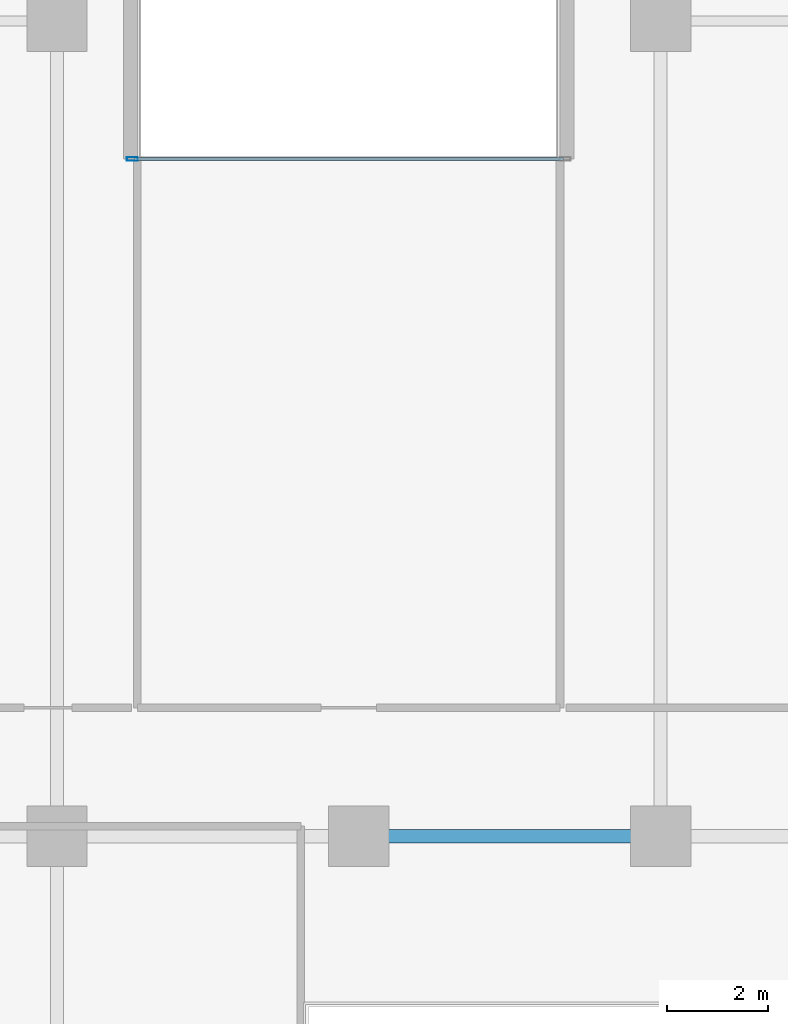
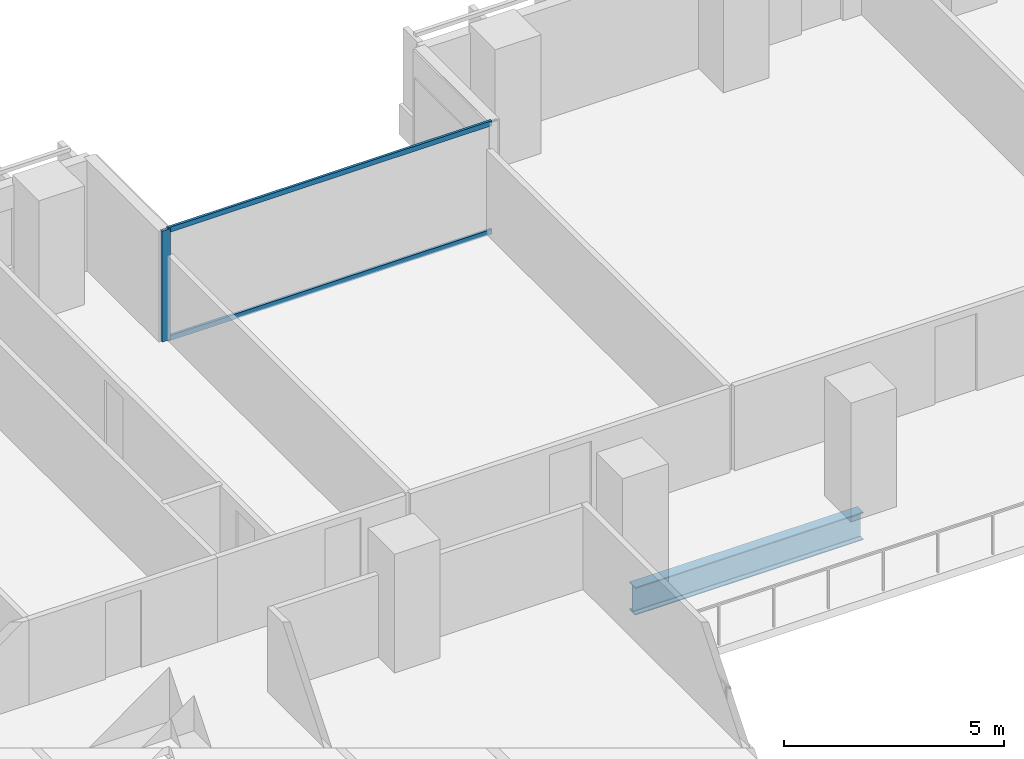
# One storey, part 6 of 25: 3 members, 1 beam, 1 element without a shape of its own.
"""IFC4 building model written with IfcOpenShell, lengths in metres."""

from ifc_helpers import new_model, si_unit, direction, frame, origin, origin_2d, place, context, subcontext, project, spatial, hollow_rectangle, i_section, extrude, material, layer, layer_set, material_profile, profile_set, type_object, element, aggregate, save


model = new_model("IFC4")

# Units and contexts
model_context = context("Model", 3, precision=1e-05, world=origin(), true_north=direction((0.0, 1.0)))
body_context = subcontext(model_context, "Body", "Model", "MODEL_VIEW")
ifc_project = project(units=[si_unit("LENGTHUNIT", "METRE"), si_unit("AREAUNIT", "SQUARE_METRE"), si_unit("VOLUMEUNIT", "CUBIC_METRE"), si_unit("PLANEANGLEUNIT", "RADIAN"), si_unit("MASSUNIT", "GRAM", prefix="KILO")], contexts=[model_context])

# Site, building, storey
site_placement = place(None, origin())
site = spatial("IfcSite", under=ifc_project, at=site_placement, CompositionType="ELEMENT")
building_placement = place(site_placement, origin())
building = spatial("IfcBuilding", under=site, at=building_placement, Name="Tanjung Sevakor Pilgrim Tower", CompositionType="ELEMENT")
storey_placement = place(building_placement, frame((0.0, 0.0, 42.239990234375)))
storey = spatial("IfcBuildingStorey", under=building, at=storey_placement, Name="L11", CompositionType="ELEMENT", Elevation=42.239990234375)

# Beam
ifc_material_1 = material(Name="Steel S355J2", Category="steel")
ifc_material_profile_1 = material_profile(ifc_material_1, i_section(OverallWidth=0.26806640625, OverallDepth=0.769775390625, WebThickness=0.015625, FlangeThickness=0.025390625, FilletRadius=0.0166015625, at=origin_2d()))
ifc_profile_set_1 = profile_set([ifc_material_profile_1], Name="Steel S355J2")
beam_type = type_object("IfcBeamType", Name="BM-B-G1-UB_762x267x197", PredefinedType="BEAM", material=ifc_profile_set_1)
beam_placement = place(storey_placement, frame((48.0, 42.60009765625, -0.60498046875), z_axis=(1.0, 0.0, 0.0), x_axis=(0.0, 1.0, 0.0)))
element("IfcBeam", 1, at=beam_placement, inside=storey, type_object=beam_type, Name="L11 Primary Floor Girder MAIN Y426-04", PredefinedType="BEAM", context=body_context, shape_type="SweptSolid", body=[
    extrude(i_section(OverallWidth=0.26806640625, OverallDepth=0.769775390625, WebThickness=0.015625, FlangeThickness=0.025390625, FilletRadius=0.0166015625, at=origin_2d()), origin(), (0.0, 0.0, 1.0), 6.0),
])

# Curtain wall, members
ifc_material_2 = material(Name="Aluminium 6063-T6 and Low-E Glass", Category="aluminium")
ifc_layer = layer(ifc_material_2, 0.179931640625)
ifc_layer_set = layer_set([ifc_layer], Name="CW-SYS-CLEFT")
curtain_wall_type = type_object("IfcCurtainWallType", Name="CW-SYS-CLEFT", PredefinedType="NOTDEFINED", material=ifc_layer_set)
curtain_wall_placement = place(storey_placement, origin())
curtain_wall = element("IfcCurtainWall", 2, at=curtain_wall_placement, inside=storey, type_object=curtain_wall_type, Name="L11 Curtain Wall CW-CLF-L11-10", PredefinedType="NOTDEFINED")
ifc_material_3 = material(Name="Aluminium 6063-T6", Category="aluminium")
ifc_material_profile_2 = material_profile(ifc_material_3, hollow_rectangle(XDim=0.074951171875, YDim=0.219970703125, WallThickness=0.0048828125, at=origin_2d()))
ifc_profile_set_2 = profile_set([ifc_material_profile_2], Name="Aluminium 6063-T6")
member_type_1 = type_object("IfcMemberType", Name="TYPE-CWM-2", PredefinedType="MULLION", material=ifc_profile_set_2)
member_1_placement = place(storey_placement, frame((43.49755859375, 56.06005859375, 0.0), z_axis=(0.0, 0.0, 1.0), x_axis=(0.0, -1.0, 0.0)))
member_1 = element("IfcMember", 3, at=member_1_placement, type_object=member_type_1, Name="CW-CLF mullion 2", PredefinedType="MULLION", context=body_context, shape_type="SweptSolid", body=[
    extrude(hollow_rectangle(XDim=0.074951171875, YDim=0.219970703125, WallThickness=0.0048828125, at=origin_2d()), origin(), (0.0, 0.0, 1.0), 3.080078125),
])
ifc_material_4 = material(Name="Aluminium 6063-T6", Category="aluminium")
ifc_material_profile_3 = material_profile(ifc_material_4, hollow_rectangle(XDim=0.06494140625, YDim=0.139892578125, WallThickness=0.00390625, at=origin_2d()))
ifc_profile_set_3 = profile_set([ifc_material_profile_3], Name="Aluminium 6063-T6")
member_type_2 = type_object("IfcMemberType", Name="TYPE-CWT-1", PredefinedType="USERDEFINED", material=ifc_profile_set_3)
member_2_placement = place(storey_placement, frame((52.06494140625, 56.06005859375, 0.032470703125), z_axis=(-1.0, 0.0, 0.0), x_axis=(0.0, -1.0, 0.0)))
member_2 = element("IfcMember", 4, at=member_2_placement, type_object=member_type_2, Name="CW-CLF transom 1.1", ObjectType="TRANSOM", PredefinedType="USERDEFINED", context=body_context, shape_type="SweptSolid", body=[
    extrude(hollow_rectangle(XDim=0.06494140625, YDim=0.139892578125, WallThickness=0.00390625, at=origin_2d()), origin(), (0.0, 0.0, 1.0), 8.530029296875),
])
member_3_placement = place(storey_placement, frame((52.06494140625, 56.06005859375, 3.047607421875), z_axis=(-1.0, 0.0, 0.0), x_axis=(0.0, -1.0, 0.0)))
member_3 = element("IfcMember", 5, at=member_3_placement, type_object=member_type_2, Name="CW-CLF transom 1.2", ObjectType="TRANSOM", PredefinedType="USERDEFINED", context=body_context, shape_type="SweptSolid", body=[
    extrude(hollow_rectangle(XDim=0.06494140625, YDim=0.139892578125, WallThickness=0.00390625, at=origin_2d()), origin(), (0.0, 0.0, 1.0), 8.530029296875),
])
aggregate(curtain_wall, [member_1, member_2, member_3])

save(model, "model.ifc")
